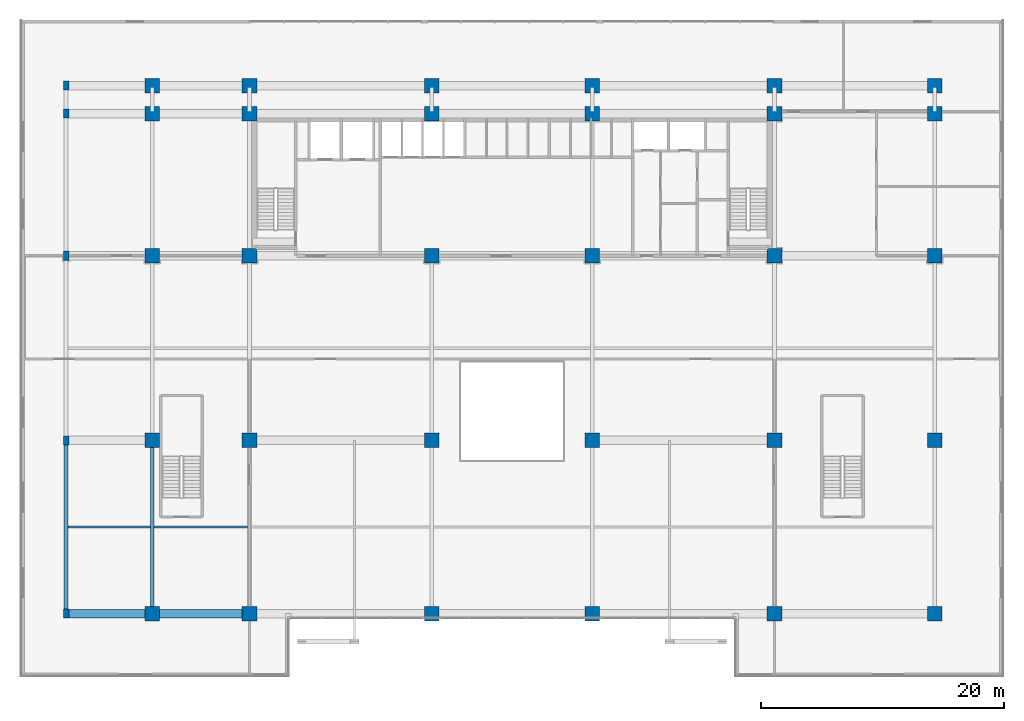
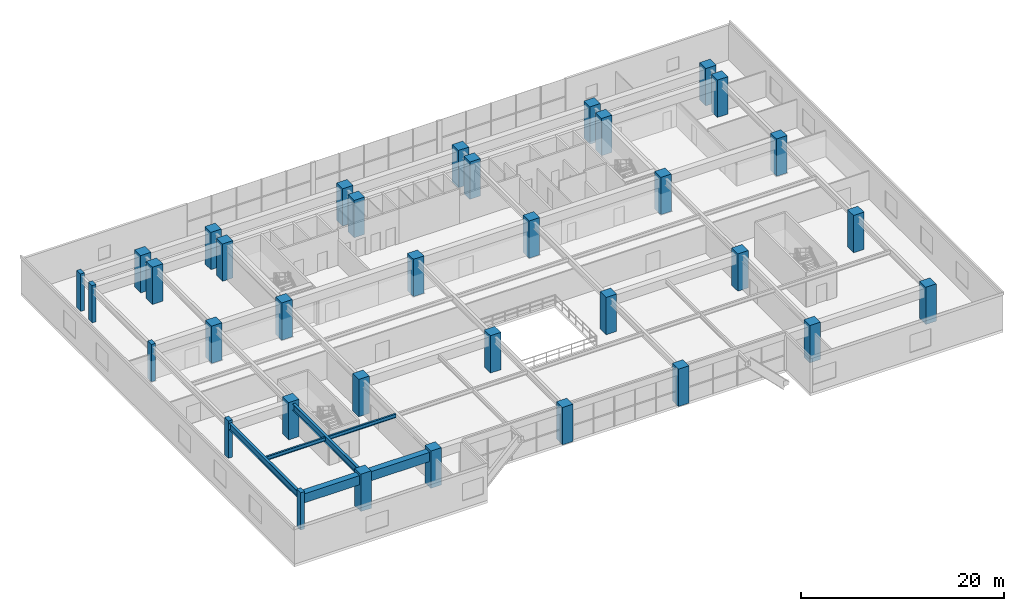
# One storey, part 1 of 24: 35 columns, 6 beams.
"""IFC4 building model written with IfcOpenShell, lengths in metres."""

from ifc_helpers import new_model, si_unit, direction, frame, origin, origin_2d, place, context, subcontext, project, spatial, rectangle, i_section, extrude, source, transform, mapped, material, material_profile, profile_set, type_object, element, save


model = new_model("IFC4")

# Units and contexts
model_context = context("Model", 3, precision=1e-05, world=origin(), true_north=direction((0.0, 1.0)))
body_context = subcontext(model_context, "Body", "Model", "MODEL_VIEW")
ifc_project = project(units=[si_unit("LENGTHUNIT", "METRE"), si_unit("AREAUNIT", "SQUARE_METRE"), si_unit("VOLUMEUNIT", "CUBIC_METRE"), si_unit("PLANEANGLEUNIT", "RADIAN"), si_unit("MASSUNIT", "GRAM", prefix="KILO")], contexts=[model_context])

# Site, building, storey
site_placement = place(None, origin())
site = spatial("IfcSite", under=ifc_project, at=site_placement, CompositionType="ELEMENT")
building_placement = place(site_placement, origin())
building = spatial("IfcBuilding", under=site, at=building_placement, Name="Trelvane Seafront Commons", CompositionType="ELEMENT")
storey_placement = place(building_placement, frame((0.0, 0.0, 5.199951171875)))
storey = spatial("IfcBuildingStorey", under=building, at=storey_placement, Name="L01", CompositionType="ELEMENT", Elevation=5.199951171875)

# Columns
ifc_material_1 = material(Name="Concrete C50/60", Category="concrete")
ifc_material_profile_1 = material_profile(ifc_material_1, rectangle(XDim=0.449951171875, YDim=0.75, at=origin_2d()), Name="RC-450x750")
ifc_profile_set_1 = profile_set([ifc_material_profile_1], Name="Concrete C50/60")
column_type_1 = type_object("IfcColumnType", Name="STR-PIL-RC450x750", PredefinedType="PILASTER", material=ifc_profile_set_1)
shared_shape_1 = source(origin(), body_context, "Body", "SweptSolid", [
    extrude(rectangle(XDim=0.449951171875, YDim=0.75, at=origin_2d()), origin(), (0.0, 0.0, 1.0), 4.5),
])
for number, where, z_axis, x_axis, name in (
    (1, (0.5, 3.949951171875, 0.0), (0.0, 0.0, 1.0), (1.0, 0.0, 0.0), "L01 Column PC-1-1"),
    (2, (0.5, 18.199951171875, 0.0), (0.0, 0.0, 1.0), (1.0, 0.0, 0.0), "L01 Column PC-1-2"),
    (3, (0.5, 33.39990234375, 0.0), (0.0, 0.0, 1.0), (1.0, 0.0, 0.0), "L01 Column PC-1-3"),
    (4, (0.5, 45.10009765625, 0.0), (0.0, 0.0, 1.0), (1.0, 0.0, 0.0), "L01 Column PC-1-4"),
    (5, (0.5, 47.39990234375, 0.0), (0.0, 0.0, 1.0), (1.0, 0.0, 0.0), "L01 Column PC-1-5"),
):
    element("IfcColumn", number, at=place(storey_placement, frame(where, z_axis=z_axis, x_axis=x_axis)), inside=storey, type_object=column_type_1, Name=name, PredefinedType="PILASTER", context=body_context, shape_type="MappedRepresentation", body=[
        mapped(shared_shape_1, transform((0.0, 0.0, 0.0), x_axis=(1.0, 0.0, 0.0), y_axis=(0.0, 1.0, 0.0), z_axis=(0.0, 0.0, 1.0), scale=1.0)),
    ])
ifc_material_2 = material(Name="Concrete C60/75", Category="concrete")
ifc_material_profile_2 = material_profile(ifc_material_2, rectangle(XDim=1.199951171875, YDim=1.199951171875, at=origin_2d()), Name="RC-1200x1200")
ifc_profile_set_2 = profile_set([ifc_material_profile_2], Name="Concrete C60/75")
column_type_2 = type_object("IfcColumnType", Name="STR-COL-RC1200", PredefinedType="COLUMN", material=ifc_profile_set_2)
shared_shape_2 = source(origin(), body_context, "Body", "SweptSolid", [
    extrude(rectangle(XDim=1.199951171875, YDim=1.199951171875, at=origin_2d()), origin(), (0.0, 0.0, 1.0), 4.5),
])
for number, where, z_axis, x_axis, name in (
    (6, (7.60009765625, 3.949951171875, 0.0), (0.0, 0.0, 1.0), (1.0, 0.0, 0.0), "L01 Column PC-2-1"),
    (7, (7.60009765625, 18.199951171875, 0.0), (0.0, 0.0, 1.0), (1.0, 0.0, 0.0), "L01 Column PC-2-2"),
    (8, (7.60009765625, 33.39990234375, 0.0), (0.0, 0.0, 1.0), (1.0, 0.0, 0.0), "L01 Column PC-2-3"),
    (9, (7.60009765625, 45.10009765625, 0.0), (0.0, 0.0, 1.0), (1.0, 0.0, 0.0), "L01 Column PC-2-4"),
    (10, (7.60009765625, 47.39990234375, 0.0), (0.0, 0.0, 1.0), (1.0, 0.0, 0.0), "L01 Column PC-2-5"),
    (11, (15.60009765625, 3.949951171875, 0.0), (0.0, 0.0, 1.0), (1.0, 0.0, 0.0), "L01 Column PC-3-1"),
    (12, (15.60009765625, 18.199951171875, 0.0), (0.0, 0.0, 1.0), (1.0, 0.0, 0.0), "L01 Column PC-3-2"),
    (13, (15.60009765625, 33.39990234375, 0.0), (0.0, 0.0, 1.0), (1.0, 0.0, 0.0), "L01 Column PC-3-3"),
    (14, (15.60009765625, 45.10009765625, 0.0), (0.0, 0.0, 1.0), (1.0, 0.0, 0.0), "L01 Column PC-3-4"),
    (15, (15.60009765625, 47.39990234375, 0.0), (0.0, 0.0, 1.0), (1.0, 0.0, 0.0), "L01 Column PC-3-5"),
    (16, (30.60009765625, 3.949951171875, 0.0), (0.0, 0.0, 1.0), (1.0, 0.0, 0.0), "L01 Column PC-4-1"),
    (17, (30.60009765625, 18.199951171875, 0.0), (0.0, 0.0, 1.0), (1.0, 0.0, 0.0), "L01 Column PC-4-2"),
    (18, (30.60009765625, 33.39990234375, 0.0), (0.0, 0.0, 1.0), (1.0, 0.0, 0.0), "L01 Column PC-4-3"),
    (19, (30.60009765625, 45.10009765625, 0.0), (0.0, 0.0, 1.0), (1.0, 0.0, 0.0), "L01 Column PC-4-4"),
    (20, (30.60009765625, 47.39990234375, 0.0), (0.0, 0.0, 1.0), (1.0, 0.0, 0.0), "L01 Column PC-4-5"),
    (21, (43.800048828125, 3.949951171875, 0.0), (0.0, 0.0, 1.0), (1.0, 0.0, 0.0), "L01 Column PC-5-1"),
    (22, (43.800048828125, 18.199951171875, 0.0), (0.0, 0.0, 1.0), (1.0, 0.0, 0.0), "L01 Column PC-5-2"),
    (23, (43.800048828125, 33.39990234375, 0.0), (0.0, 0.0, 1.0), (1.0, 0.0, 0.0), "L01 Column PC-5-3"),
    (24, (43.800048828125, 45.10009765625, 0.0), (0.0, 0.0, 1.0), (1.0, 0.0, 0.0), "L01 Column PC-5-4"),
    (25, (43.800048828125, 47.39990234375, 0.0), (0.0, 0.0, 1.0), (1.0, 0.0, 0.0), "L01 Column PC-5-5"),
    (26, (58.800048828125, 3.949951171875, 0.0), (0.0, 0.0, 1.0), (1.0, 0.0, 0.0), "L01 Column PC-6-1"),
    (27, (58.800048828125, 18.199951171875, 0.0), (0.0, 0.0, 1.0), (1.0, 0.0, 0.0), "L01 Column PC-6-2"),
    (28, (58.800048828125, 33.39990234375, 0.0), (0.0, 0.0, 1.0), (1.0, 0.0, 0.0), "L01 Column PC-6-3"),
    (29, (58.800048828125, 45.10009765625, 0.0), (0.0, 0.0, 1.0), (1.0, 0.0, 0.0), "L01 Column PC-6-4"),
    (30, (58.800048828125, 47.39990234375, 0.0), (0.0, 0.0, 1.0), (1.0, 0.0, 0.0), "L01 Column PC-6-5"),
    (31, (72.0, 3.949951171875, 0.0), (0.0, 0.0, 1.0), (1.0, 0.0, 0.0), "L01 Column PC-7-1"),
    (32, (72.0, 18.199951171875, 0.0), (0.0, 0.0, 1.0), (1.0, 0.0, 0.0), "L01 Column PC-7-2"),
    (33, (72.0, 33.39990234375, 0.0), (0.0, 0.0, 1.0), (1.0, 0.0, 0.0), "L01 Column PC-7-3"),
    (34, (72.0, 45.10009765625, 0.0), (0.0, 0.0, 1.0), (1.0, 0.0, 0.0), "L01 Column PC-7-4"),
    (35, (72.0, 47.39990234375, 0.0), (0.0, 0.0, 1.0), (1.0, 0.0, 0.0), "L01 Column PC-7-5"),
):
    element("IfcColumn", number, at=place(storey_placement, frame(where, z_axis=z_axis, x_axis=x_axis)), inside=storey, type_object=column_type_2, Name=name, PredefinedType="COLUMN", context=body_context, shape_type="MappedRepresentation", body=[
        mapped(shared_shape_2, transform((0.0, 0.0, 0.0), x_axis=(1.0, 0.0, 0.0), y_axis=(0.0, 1.0, 0.0), z_axis=(0.0, 0.0, 1.0), scale=1.0)),
    ])

# Beams
ifc_material_profile_3 = material_profile(ifc_material_1, rectangle(XDim=0.699951171875, YDim=1.10009765625, at=origin_2d()), Name="RC-700x1100")
ifc_profile_set_3 = profile_set([ifc_material_profile_3], Name="Concrete C50/60")
beam_type_1 = type_object("IfcBeamType", Name="STR-TBM-RC700x1100", PredefinedType="T_BEAM", material=ifc_profile_set_3)
shared_shape_3 = source(origin(), body_context, "Body", "SweptSolid", [
    extrude(rectangle(XDim=0.699951171875, YDim=1.10009765625, at=origin_2d()), origin(), (0.0, 0.0, 1.0), 6.83740234375),
])
beam_1_placement = place(storey_placement, frame((0.612548828125, 3.949951171875, 3.650146484375), z_axis=(1.0, 0.0, 0.0), x_axis=(0.0, 1.0, 0.0)))
element("IfcBeam", 36, at=beam_1_placement, inside=storey, type_object=beam_type_1, Name="L01 Primary Girder G-01", PredefinedType="T_BEAM", context=body_context, shape_type="MappedRepresentation", body=[
    mapped(shared_shape_3, transform((0.0, 0.0, 0.0), x_axis=(1.0, 0.0, 0.0), y_axis=(0.0, 1.0, 0.0), z_axis=(0.0, 0.0, 1.0), scale=1.0)),
])
shared_shape_4 = source(origin(), body_context, "Body", "SweptSolid", [
    extrude(rectangle(XDim=0.699951171875, YDim=1.10009765625, at=origin_2d()), origin(), (0.0, 0.0, 1.0), 7.699951171875),
])
beam_2_placement = place(storey_placement, frame((7.75, 3.949951171875, 3.650146484375), z_axis=(1.0, 0.0, 0.0), x_axis=(0.0, 1.0, 0.0)))
element("IfcBeam", 37, at=beam_2_placement, inside=storey, type_object=beam_type_1, Name="L01 Primary Girder G-02", PredefinedType="T_BEAM", context=body_context, shape_type="MappedRepresentation", body=[
    mapped(shared_shape_4, transform((0.0, 0.0, 0.0), x_axis=(1.0, 0.0, 0.0), y_axis=(0.0, 1.0, 0.0), z_axis=(0.0, 0.0, 1.0), scale=1.0)),
])
ifc_material_3 = material(Name="Steel SM355 (S355)", Category="steel")
ifc_material_profile_4 = material_profile(ifc_material_3, i_section(OverallWidth=0.300048828125, OverallDepth=0.800048828125, WebThickness=0.013916015625, FlangeThickness=0.02587890625, at=origin_2d()), Name="H-800x300x14x26")
ifc_profile_set_4 = profile_set([ifc_material_profile_4], Name="Steel SM355 (S355)")
beam_type_2 = type_object("IfcBeamType", Name="STR-BM-H800", PredefinedType="BEAM", material=ifc_profile_set_4)
shared_shape_5 = source(origin(), body_context, "Body", "SweptSolid", [
    extrude(i_section(OverallWidth=0.300048828125, OverallDepth=0.800048828125, WebThickness=0.013916015625, FlangeThickness=0.02587890625, at=origin_2d()), origin(), (0.0, 0.0, 1.0), 13.949951171875),
])
for number, where, z_axis, x_axis, name in (
    (38, (0.5, 4.10009765625, 3.800048828125), (0.0, 1.0, 0.0), (-1.0, 0.0, 0.0), "L01 Primary Girder G-31"),
    (39, (7.60009765625, 4.10009765625, 3.800048828125), (0.0, 1.0, 0.0), (-1.0, 0.0, 0.0), "L01 Primary Girder G-35"),
):
    element("IfcBeam", number, at=place(storey_placement, frame(where, z_axis=z_axis, x_axis=x_axis)), inside=storey, type_object=beam_type_2, Name=name, PredefinedType="BEAM", context=body_context, shape_type="MappedRepresentation", body=[
        mapped(shared_shape_5, transform((0.0, 0.0, 0.0), x_axis=(1.0, 0.0, 0.0), y_axis=(0.0, 1.0, 0.0), z_axis=(0.0, 0.0, 1.0), scale=1.0)),
    ])
ifc_material_profile_5 = material_profile(ifc_material_3, i_section(OverallWidth=0.199951171875, OverallDepth=0.449951171875, WebThickness=0.009033203125, FlangeThickness=0.013916015625, at=origin_2d()), Name="H-450x200x9x14")
ifc_profile_set_5 = profile_set([ifc_material_profile_5], Name="Steel SM355 (S355)")
beam_type_3 = type_object("IfcBeamType", Name="STR-JST-H450", PredefinedType="JOIST", material=ifc_profile_set_5)
shared_shape_6 = source(origin(), body_context, "Body", "SweptSolid", [
    extrude(i_section(OverallWidth=0.199951171875, OverallDepth=0.449951171875, WebThickness=0.009033203125, FlangeThickness=0.013916015625, at=origin_2d()), origin(), (0.0, 0.0, 1.0), 6.800048828125),
])
beam_3_placement = place(storey_placement, frame((0.64990234375, 11.074951171875, 3.97509765625), z_axis=(1.0, 0.0, 0.0), x_axis=(0.0, 1.0, 0.0)))
element("IfcBeam", 40, at=beam_3_placement, inside=storey, type_object=beam_type_3, Name="L01 Secondary Floor Joist B-59", PredefinedType="JOIST", context=body_context, shape_type="MappedRepresentation", body=[
    mapped(shared_shape_6, transform((0.0, 0.0, 0.0), x_axis=(1.0, 0.0, 0.0), y_axis=(0.0, 1.0, 0.0), z_axis=(0.0, 0.0, 1.0), scale=1.0)),
])
shared_shape_7 = source(origin(), body_context, "Body", "SweptSolid", [
    extrude(i_section(OverallWidth=0.199951171875, OverallDepth=0.449951171875, WebThickness=0.009033203125, FlangeThickness=0.013916015625, at=origin_2d()), origin(), (0.0, 0.0, 1.0), 7.699951171875),
])
beam_4_placement = place(storey_placement, frame((7.75, 11.074951171875, 3.97509765625), z_axis=(1.0, 0.0, 0.0), x_axis=(0.0, 1.0, 0.0)))
element("IfcBeam", 41, at=beam_4_placement, inside=storey, type_object=beam_type_3, Name="L01 Secondary Floor Joist B-60", PredefinedType="JOIST", context=body_context, shape_type="MappedRepresentation", body=[
    mapped(shared_shape_7, transform((0.0, 0.0, 0.0), x_axis=(1.0, 0.0, 0.0), y_axis=(0.0, 1.0, 0.0), z_axis=(0.0, 0.0, 1.0), scale=1.0)),
])

save(model, "model.ifc")
